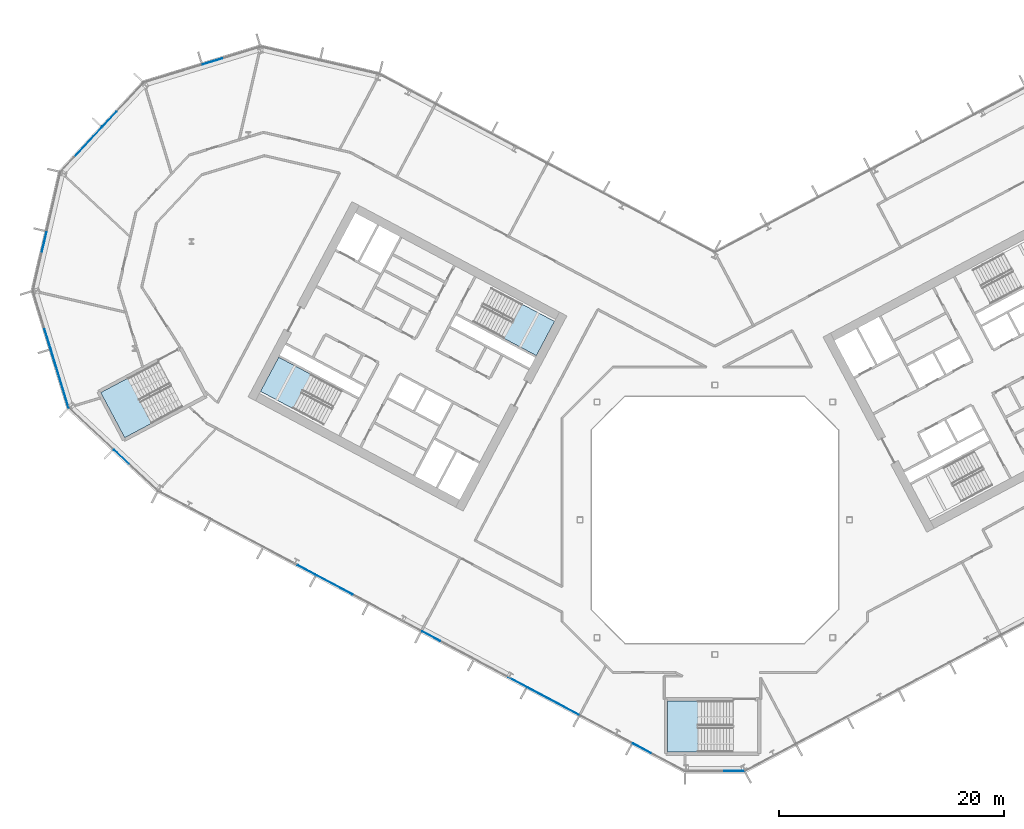
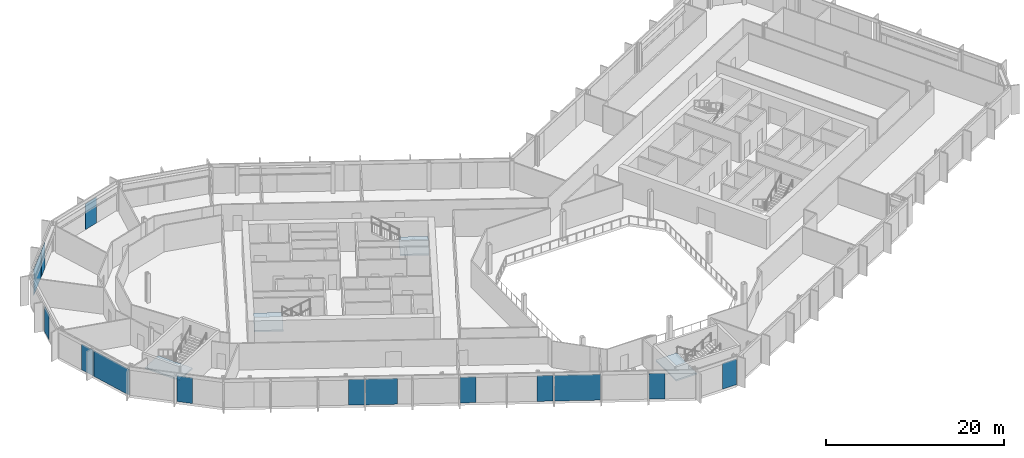
# One storey, part 11 of 28: 14 plates, 4 slabs, 11 elements without a shape of their own.
"""IFC4 building model written with IfcOpenShell, lengths in metres."""

from ifc_helpers import new_model, si_unit, direction, frame, origin, origin_2d, place, context, subcontext, project, spatial, polyline, rectangle, outline, extrude, material, layer, layer_set, type_object, element, aggregate, save


model = new_model("IFC4")

# Units and contexts
model_context = context("Model", 3, precision=1e-05, world=origin(), true_north=direction((0.0, 1.0)))
body_context = subcontext(model_context, "Body", "Model", "MODEL_VIEW")
ifc_project = project(units=[si_unit("LENGTHUNIT", "METRE"), si_unit("AREAUNIT", "SQUARE_METRE"), si_unit("VOLUMEUNIT", "CUBIC_METRE"), si_unit("PLANEANGLEUNIT", "RADIAN"), si_unit("MASSUNIT", "GRAM", prefix="KILO")], contexts=[model_context])

# Site, building, storey
site_placement = place(None, origin())
site = spatial("IfcSite", under=ifc_project, at=site_placement, CompositionType="ELEMENT")
building_placement = place(site_placement, origin())
building = spatial("IfcBuilding", under=site, at=building_placement, Name="Cormorant Relay Tower", CompositionType="ELEMENT")
storey_placement = place(building_placement, frame((0.0, 0.0, 166.199951171875)))
storey = spatial("IfcBuildingStorey", under=building, at=storey_placement, Name="L35", CompositionType="ELEMENT", Elevation=166.199951171875)

# Curtain wall, plate
ifc_material_1 = material(Name="Aluminium 6063-T6 anodised bronze", Category="aluminium")
ifc_layer_1 = layer(ifc_material_1, 0.199951171875)
ifc_layer_set_1 = layer_set([ifc_layer_1], Name="CW1 unitised bronze curtain wall with vertical fins")
curtain_wall_type = type_object("IfcCurtainWallType", Name="CW1 unitised bronze curtain wall with vertical fins", PredefinedType="NOTDEFINED", material=ifc_layer_set_1)
curtain_wall_1_placement = place(storey_placement, origin())
curtain_wall_1 = element("IfcCurtainWall", 1, at=curtain_wall_1_placement, inside=storey, type_object=curtain_wall_type, Name="CW1 curtain wall 1", PredefinedType="NOTDEFINED")
ifc_material_2 = material(Name="Tinted laminated glass", Category="glass")
ifc_layer_2 = layer(ifc_material_2, 0.0400390625)
ifc_layer_set_2 = layer_set([ifc_layer_2], Name="CW1 tinted vision panel 1800 module")
plate_type_1 = type_object("IfcPlateType", Name="CW1 tinted vision panel 1800 module", PredefinedType="CURTAIN_PANEL", material=ifc_layer_set_2)
plate_1_placement = place(storey_placement, frame((1.748779296875, -22.3955078125, 0.0), z_axis=(0.0, 0.0, 1.0), x_axis=(1.0, 0.0, 0.0)))
plate_1 = element("IfcPlate", 2, at=plate_1_placement, type_object=plate_type_1, Name="CW1 panel V01", PredefinedType="CURTAIN_PANEL", context=body_context, shape_type="SweptSolid", body=[
    extrude(rectangle(XDim=1.800048828125, YDim=0.0400390625, at=origin_2d()), origin(), (0.0, 0.0, 1.0), 3.550048828125),
])
aggregate(curtain_wall_1, [plate_1])

curtain_wall_2_placement = place(storey_placement, origin())
curtain_wall_2 = element("IfcCurtainWall", 3, at=curtain_wall_2_placement, inside=storey, type_object=curtain_wall_type, Name="CW1 curtain wall 11", PredefinedType="NOTDEFINED")
plate_2_placement = place(storey_placement, frame((-44.73681640625, 40.82861328125, 0.0), z_axis=(0.0, 0.0, 1.0), x_axis=(-0.956304755963, -0.292371704723, 0.0)))
plate_2 = element("IfcPlate", 4, at=plate_2_placement, type_object=plate_type_1, Name="CW1 panel V01", PredefinedType="CURTAIN_PANEL", context=body_context, shape_type="SweptSolid", body=[
    extrude(rectangle(XDim=1.800048828125, YDim=0.0400390625, at=origin_2d()), origin(), (0.0, 0.0, 1.0), 3.550048828125),
])
aggregate(curtain_wall_2, [plate_2])

curtain_wall_3_placement = place(storey_placement, origin())
curtain_wall_3 = element("IfcCurtainWall", 5, at=curtain_wall_3_placement, inside=storey, type_object=curtain_wall_type, Name="CW1 curtain wall 12", PredefinedType="NOTDEFINED")
plate_3_placement = place(storey_placement, frame((-53.91748046875, 35.68701171875, 0.0), z_axis=(0.0, 0.0, 1.0), x_axis=(-0.681998360062, -0.731353701619, 0.0)))
plate_3 = element("IfcPlate", 6, at=plate_3_placement, type_object=plate_type_1, Name="CW1 panel V01", PredefinedType="CURTAIN_PANEL", context=body_context, shape_type="SweptSolid", body=[
    extrude(rectangle(XDim=1.800048828125, YDim=0.0400390625, at=origin_2d()), origin(), (0.0, 0.0, 1.0), 3.550048828125),
])

curtain_wall_4_placement = place(storey_placement, origin())
curtain_wall_4 = element("IfcCurtainWall", 7, at=curtain_wall_4_placement, inside=storey, type_object=curtain_wall_type, Name="CW1 curtain wall 13", PredefinedType="NOTDEFINED")
plate_4_placement = place(storey_placement, frame((-59.736083984375, 24.74365234375, 0.0), z_axis=(0.0, 0.0, 1.0), x_axis=(-0.224951054344, -0.974370064785, 0.0)))
plate_4 = element("IfcPlate", 8, at=plate_4_placement, type_object=plate_type_1, Name="CW1 panel V01", PredefinedType="CURTAIN_PANEL", context=body_context, shape_type="SweptSolid", body=[
    extrude(rectangle(XDim=1.800048828125, YDim=0.0400390625, at=origin_2d()), origin(), (0.0, 0.0, 1.0), 3.550048828125),
])
aggregate(curtain_wall_4, [plate_4])

curtain_wall_5_placement = place(storey_placement, origin())
curtain_wall_5 = element("IfcCurtainWall", 9, at=curtain_wall_5_placement, inside=storey, type_object=curtain_wall_type, Name="CW1 curtain wall 14", PredefinedType="NOTDEFINED")
plate_5_placement = place(storey_placement, frame((-59.434814453125, 16.122314453125, 0.0), z_axis=(0.0, 0.0, 1.0), x_axis=(0.292371704723, -0.956304755963, 0.0)))
plate_5 = element("IfcPlate", 10, at=plate_5_placement, type_object=plate_type_1, Name="CW1 panel V01", PredefinedType="CURTAIN_PANEL", context=body_context, shape_type="SweptSolid", body=[
    extrude(rectangle(XDim=1.800048828125, YDim=0.0400390625, at=origin_2d()), origin(), (0.0, 0.0, 1.0), 3.550048828125),
])

curtain_wall_6_placement = place(storey_placement, origin())
curtain_wall_6 = element("IfcCurtainWall", 11, at=curtain_wall_6_placement, inside=storey, type_object=curtain_wall_type, Name="CW1 curtain wall 15", PredefinedType="NOTDEFINED")
plate_6_placement = place(storey_placement, frame((-52.8671875, 5.611572265625, 0.0), z_axis=(0.0, 0.0, 1.0), x_axis=(0.731353701619, -0.681998360062, 0.0)))
plate_6 = element("IfcPlate", 12, at=plate_6_placement, type_object=plate_type_1, Name="CW1 panel V01", PredefinedType="CURTAIN_PANEL", context=body_context, shape_type="SweptSolid", body=[
    extrude(rectangle(XDim=1.800048828125, YDim=0.0400390625, at=origin_2d()), origin(), (0.0, 0.0, 1.0), 3.550048828125),
])
aggregate(curtain_wall_6, [plate_6])

# Curtain wall, plates
curtain_wall_7_placement = place(storey_placement, origin())
curtain_wall_7 = element("IfcCurtainWall", 13, at=curtain_wall_7_placement, inside=storey, type_object=curtain_wall_type, Name="CW1 curtain wall 16", PredefinedType="NOTDEFINED")
plate_7_placement = place(storey_placement, frame((-36.37890625, -4.463623046875, 0.0), z_axis=(0.0, 0.0, 1.0), x_axis=(0.882947592859, -0.469471562786, 0.0)))
plate_7 = element("IfcPlate", 14, at=plate_7_placement, type_object=plate_type_1, Name="CW1 panel V03", PredefinedType="CURTAIN_PANEL", context=body_context, shape_type="SweptSolid", body=[
    extrude(rectangle(XDim=1.800048828125, YDim=0.0400390625, at=origin_2d()), origin(), (0.0, 0.0, 1.0), 3.550048828125),
])
plate_8_placement = place(storey_placement, frame((-25.268798828125, -10.37109375, 0.0), z_axis=(0.0, 0.0, 1.0), x_axis=(0.882947592859, -0.469471562786, 0.0)))
plate_8 = element("IfcPlate", 15, at=plate_8_placement, type_object=plate_type_1, Name="CW1 panel V06", PredefinedType="CURTAIN_PANEL", context=body_context, shape_type="SweptSolid", body=[
    extrude(rectangle(XDim=1.800048828125, YDim=0.0400390625, at=origin_2d()), origin(), (0.0, 0.0, 1.0), 3.550048828125),
])
plate_9_placement = place(storey_placement, frame((-17.601806640625, -14.447509765625, 0.0), z_axis=(0.0, 0.0, 1.0), x_axis=(0.882947592859, -0.469471562786, 0.0)))
plate_9 = element("IfcPlate", 16, at=plate_9_placement, type_object=plate_type_1, Name="CW1 panel V08", PredefinedType="CURTAIN_PANEL", context=body_context, shape_type="SweptSolid", body=[
    extrude(rectangle(XDim=1.800048828125, YDim=0.0400390625, at=origin_2d()), origin(), (0.0, 0.0, 1.0), 3.550048828125),
])
plate_10_placement = place(storey_placement, frame((-6.49169921875, -20.35498046875, 0.0), z_axis=(0.0, 0.0, 1.0), x_axis=(0.882947592859, -0.469471562786, 0.0)))
plate_10 = element("IfcPlate", 17, at=plate_10_placement, type_object=plate_type_1, Name="CW1 panel V11", PredefinedType="CURTAIN_PANEL", context=body_context, shape_type="SweptSolid", body=[
    extrude(rectangle(XDim=1.800048828125, YDim=0.0400390625, at=origin_2d()), origin(), (0.0, 0.0, 1.0), 3.550048828125),
])

# Plate
ifc_material_3 = material(Name="Tinted laminated glass", Category="glass")
ifc_layer_3 = layer(ifc_material_3, 0.0400390625)
ifc_layer_set_3 = layer_set([ifc_layer_3], Name="CW1 tinted vision panel 3600 module")
plate_type_2 = type_object("IfcPlateType", Name="CW1 tinted vision panel 3600 module", PredefinedType="CURTAIN_PANEL", material=ifc_layer_set_3)
plate_11_placement = place(storey_placement, frame((-55.861083984375, 33.6025390625, 0.0), z_axis=(0.0, 0.0, 1.0), x_axis=(-0.681998360062, -0.731353701619, 0.0)))
plate_11 = element("IfcPlate", 18, at=plate_11_placement, type_object=plate_type_2, Name="CW1 panel V02", PredefinedType="CURTAIN_PANEL", context=body_context, shape_type="SweptSolid", body=[
    extrude(rectangle(XDim=3.60009765625, YDim=0.0400390625, at=origin_2d()), origin(), (0.0, 0.0, 1.0), 3.550048828125),
])

aggregate(curtain_wall_3, [plate_3, plate_11])

plate_12_placement = place(storey_placement, frame((-33.862548828125, -5.801513671875, 0.0), z_axis=(0.0, 0.0, 1.0), x_axis=(0.882947592859, -0.469471562786, 0.0)))
plate_12 = element("IfcPlate", 19, at=plate_12_placement, type_object=plate_type_2, Name="CW1 panel V04", PredefinedType="CURTAIN_PANEL", context=body_context, shape_type="SweptSolid", body=[
    extrude(rectangle(XDim=3.60009765625, YDim=0.0400390625, at=origin_2d()), origin(), (0.0, 0.0, 1.0), 3.550048828125),
])

ifc_material_4 = material(Name="Tinted laminated glass", Category="glass")
ifc_layer_4 = layer(ifc_material_4, 0.0400390625)
ifc_layer_set_4 = layer_set([ifc_layer_4], Name="CW1 tinted vision panel 5400 module")
plate_type_3 = type_object("IfcPlateType", Name="CW1 tinted vision panel 5400 module", PredefinedType="CURTAIN_PANEL", material=ifc_layer_set_4)
plate_13_placement = place(storey_placement, frame((-58.344482421875, 12.55517578125, 0.0), z_axis=(0.0, 0.0, 1.0), x_axis=(0.292371704723, -0.956304755963, 0.0)))
plate_13 = element("IfcPlate", 20, at=plate_13_placement, type_object=plate_type_3, Name="CW1 panel V02", PredefinedType="CURTAIN_PANEL", context=body_context, shape_type="SweptSolid", body=[
    extrude(rectangle(XDim=5.360107421875, YDim=0.0400390625, at=origin_2d()), origin(), (0.0, 0.0, 1.0), 3.550048828125),
])

aggregate(curtain_wall_5, [plate_5, plate_13])

plate_14_placement = place(storey_placement, frame((-14.393798828125, -16.1533203125, 0.0), z_axis=(0.0, 0.0, 1.0), x_axis=(0.882947592859, -0.469471562786, 0.0)))
plate_14 = element("IfcPlate", 21, at=plate_14_placement, type_object=plate_type_3, Name="CW1 panel V09", PredefinedType="CURTAIN_PANEL", context=body_context, shape_type="SweptSolid", body=[
    extrude(rectangle(XDim=5.16650390625, YDim=0.0400390625, at=origin_2d()), origin(), (0.0, 0.0, 1.0), 3.550048828125),
])

aggregate(curtain_wall_7, [plate_7, plate_12, plate_8, plate_9, plate_14, plate_10])

# Stair, slab
ifc_material_5 = material(Name="Concrete 40 MPa", Category="concrete")
stair_type_1 = type_object("IfcStairType", Name="Exit stair 1500", PredefinedType="HALF_TURN_STAIR", material=ifc_material_5)
stair_1_placement = place(storey_placement, origin())
stair_1 = element("IfcStair", 22, at=stair_1_placement, inside=storey, type_object=stair_type_1, Name="L35 Stair", PredefinedType="HALF_TURN_STAIR")
ifc_material_6 = material(Name="Concrete 40 MPa", Category="concrete")
ifc_layer_5 = layer(ifc_material_6, 0.199951171875)
ifc_layer_set_5 = layer_set([ifc_layer_5], Name="Exit stair landing 200")
slab_type = type_object("IfcSlabType", Name="Exit stair landing 200", PredefinedType="LANDING", material=ifc_layer_set_5)
slab_1_placement = place(storey_placement, frame((0.0, 0.0, 1.800048828125)))
slab_1 = element("IfcSlab", 23, at=slab_1_placement, type_object=slab_type, Name="A1 landing 1", PredefinedType="LANDING", context=body_context, shape_type="SweptSolid", body=[
    extrude(outline(polyline([(-18.7822265625, 16.1591796875), (-15.89501953125, 14.6240234375), (-14.275390625, 17.670166015625), (-17.16259765625, 19.205322265625), (-18.7822265625, 16.1591796875)])), origin(), (0.0, 0.0, 1.0), 0.199951171875),
])
aggregate(stair_1, [slab_1])

stair_2_placement = place(storey_placement, origin())
stair_2 = element("IfcStair", 24, at=stair_2_placement, inside=storey, type_object=stair_type_1, Name="L35 Stair", PredefinedType="HALF_TURN_STAIR")
slab_2_placement = place(storey_placement, frame((0.0, 0.0, 1.800048828125)))
slab_2 = element("IfcSlab", 25, at=slab_2_placement, type_object=slab_type, Name="A2 landing 1", PredefinedType="LANDING", context=body_context, shape_type="SweptSolid", body=[
    extrude(outline(polyline([(-35.96044921875, 12.947998046875), (-38.84765625, 14.483154296875), (-40.467529296875, 11.43701171875), (-37.580322265625, 9.90185546875), (-35.96044921875, 12.947998046875)])), origin(), (0.0, 0.0, 1.0), 0.199951171875),
])
aggregate(stair_2, [slab_2])

ifc_material_7 = material(Name="Concrete 40 MPa", Category="concrete")
stair_type_2 = type_object("IfcStairType", Name="Remote exit stair 2200", PredefinedType="HALF_TURN_STAIR", material=ifc_material_7)
stair_3_placement = place(storey_placement, origin())
stair_3 = element("IfcStair", 26, at=stair_3_placement, inside=storey, type_object=stair_type_2, Name="L35 Stair", PredefinedType="HALF_TURN_STAIR")
slab_3_placement = place(storey_placement, frame((0.0, 0.0, 1.800048828125)))
slab_3 = element("IfcSlab", 27, at=slab_3_placement, type_object=slab_type, Name="RK1 landing 1", PredefinedType="LANDING", context=body_context, shape_type="SweptSolid", body=[
    extrude(outline(polyline([(-1.47998046875, -16.125), (-4.199951171875, -16.125), (-4.199951171875, -20.675048828125), (-1.47998046875, -20.675048828125), (-1.47998046875, -16.125)])), origin(), (0.0, 0.0, 1.0), 0.199951171875),
])
aggregate(stair_3, [slab_3])

stair_4_placement = place(storey_placement, origin())
stair_4 = element("IfcStair", 28, at=stair_4_placement, inside=storey, type_object=stair_type_2, Name="L35 Stair", PredefinedType="HALF_TURN_STAIR")
slab_4_placement = place(storey_placement, frame((0.0, 0.0, 1.800048828125)))
slab_4 = element("IfcSlab", 29, at=slab_4_placement, type_object=slab_type, Name="RP1 landing 1", PredefinedType="LANDING", context=body_context, shape_type="SweptSolid", body=[
    extrude(outline(polyline([(-52.29833984375, 12.607666015625), (-54.699951171875, 11.330810546875), (-52.563720703125, 7.3134765625), (-50.162109375, 8.59033203125), (-52.29833984375, 12.607666015625)])), origin(), (0.0, 0.0, 1.0), 0.199951171875),
])
aggregate(stair_4, [slab_4])

save(model, "model.ifc")
